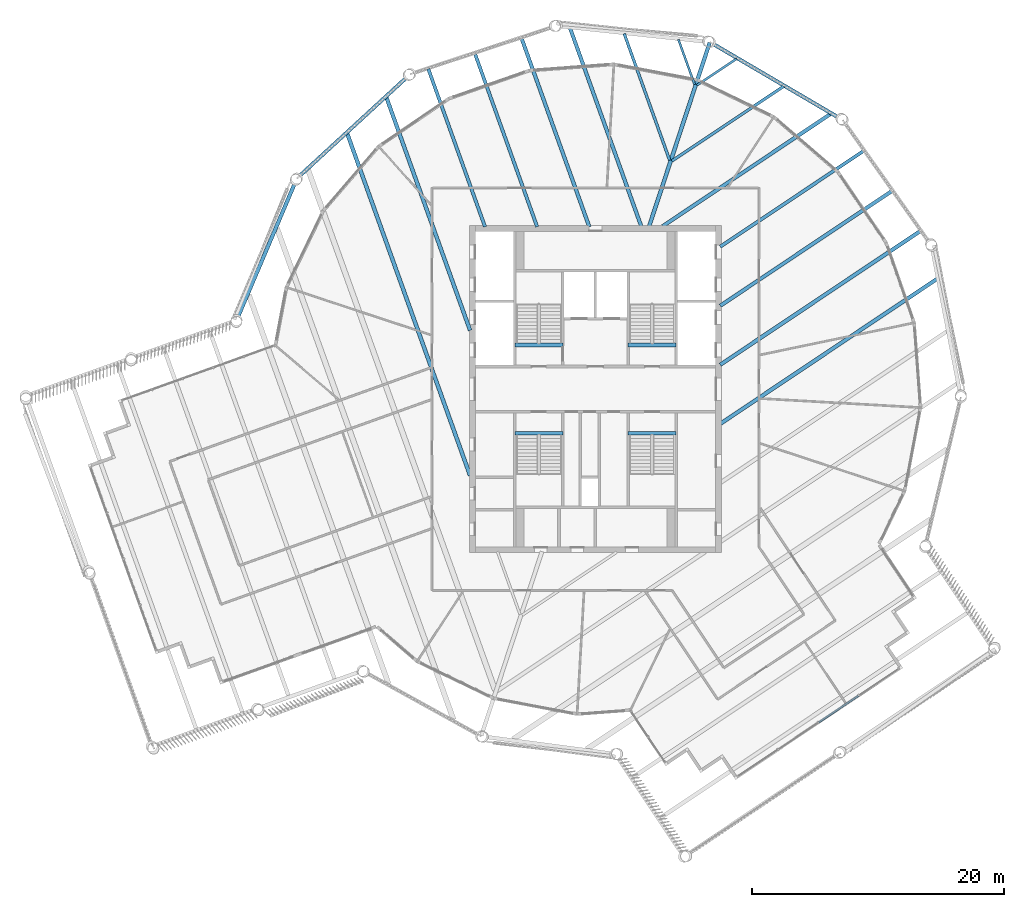
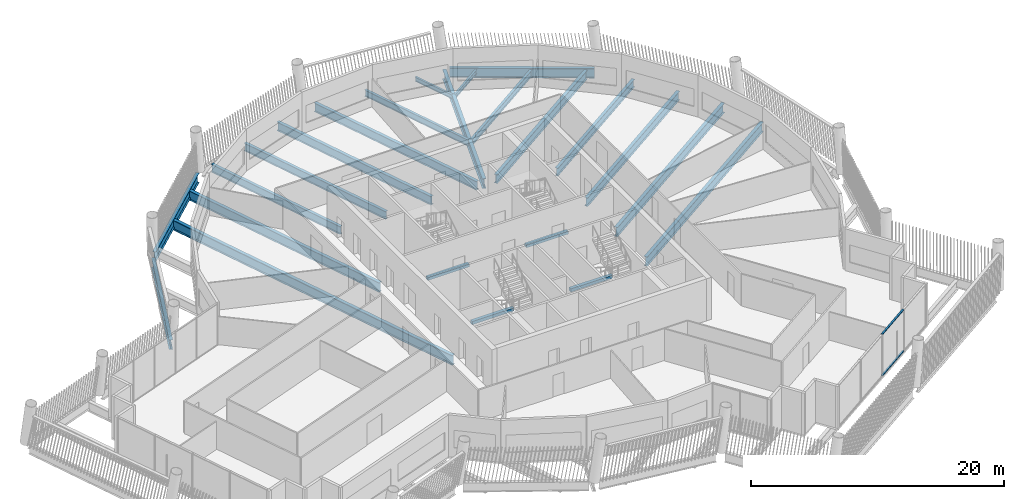
# One storey, part 14 of 28: 23 beams, 2 members, 1 element without a shape of its own.
"""IFC4 building model written with IfcOpenShell, lengths in metres."""

from ifc_helpers import new_model, si_unit, direction, frame, origin, origin_2d, place, context, subcontext, project, spatial, rectangle, hollow_rectangle, i_section, extrude, material, layer, layer_set, material_profile, profile_set, type_object, element, aggregate, save


model = new_model("IFC4")

# Units and contexts
model_context = context("Model", 3, precision=1e-05, world=origin(), true_north=direction((0.0, 1.0)))
body_context = subcontext(model_context, "Body", "Model", "MODEL_VIEW")
ifc_project = project(units=[si_unit("LENGTHUNIT", "METRE"), si_unit("AREAUNIT", "SQUARE_METRE"), si_unit("VOLUMEUNIT", "CUBIC_METRE"), si_unit("PLANEANGLEUNIT", "RADIAN"), si_unit("MASSUNIT", "GRAM", prefix="KILO")], contexts=[model_context])

# Site, building, storey
site_placement = place(None, origin())
site = spatial("IfcSite", under=ifc_project, at=site_placement, CompositionType="ELEMENT")
building_placement = place(site_placement, origin())
building = spatial("IfcBuilding", under=site, at=building_placement, Name="Tarsis Ring Headquarters", CompositionType="ELEMENT")
storey_placement = place(building_placement, frame((0.0, 0.0, 365.0)))
storey = spatial("IfcBuildingStorey", under=building, at=storey_placement, Name="L86", CompositionType="ELEMENT", Elevation=365.0)

# Curtain wall, members
ifc_material_1 = material(Name="Aluminium curtain wall", Category="aluminium")
ifc_layer = layer(ifc_material_1, 0.199951171875)
ifc_layer_set = layer_set([ifc_layer], Name="Curtain wall executive tip")
curtain_wall_type = type_object("IfcCurtainWallType", Name="Curtain wall executive tip", PredefinedType="NOTDEFINED", material=ifc_layer_set)
curtain_wall_placement = place(storey_placement, origin())
curtain_wall = element("IfcCurtainWall", 1, at=curtain_wall_placement, inside=storey, type_object=curtain_wall_type, Name="Curtain wall L86-11", PredefinedType="NOTDEFINED")
ifc_material_2 = material(Name="Aluminium transom", Category="aluminium")
ifc_material_profile_1 = material_profile(ifc_material_2, hollow_rectangle(XDim=0.159912109375, YDim=0.070068359375, WallThickness=0.0048828125, at=origin_2d()), Name="RHS 160x70x5")
ifc_profile_set_1 = profile_set([ifc_material_profile_1], Name="Aluminium transom")
member_type = type_object("IfcMemberType", Name="Curtain wall transom executive tip RHS 160x70x5", PredefinedType="USERDEFINED", material=ifc_profile_set_1)
member_1_placement = place(storey_placement, frame((17.742431640625, -26.48046875, 0.034912109375), z_axis=(0.831388358982, 0.555691817961, 0.0), x_axis=(-0.555691817961, 0.831388358982, 0.0)))
member_1 = element("IfcMember", 2, at=member_1_placement, type_object=member_type, Name="CW-E transom 3.1", ObjectType="TRANSOM", PredefinedType="USERDEFINED", context=body_context, shape_type="SweptSolid", body=[
    extrude(hollow_rectangle(XDim=0.159912109375, YDim=0.070068359375, WallThickness=0.0048828125, at=origin_2d()), origin(), (0.0, 0.0, 1.0), 3.80517578125),
])
member_2_placement = place(storey_placement, frame((17.742431640625, -26.48046875, 4.0048828125), z_axis=(0.831388358982, 0.555691817961, 0.0), x_axis=(-0.555691817961, 0.831388358982, 0.0)))
member_2 = element("IfcMember", 3, at=member_2_placement, type_object=member_type, Name="CW-E transom 3.2", ObjectType="TRANSOM", PredefinedType="USERDEFINED", context=body_context, shape_type="SweptSolid", body=[
    extrude(hollow_rectangle(XDim=0.159912109375, YDim=0.070068359375, WallThickness=0.0048828125, at=origin_2d()), origin(), (0.0, 0.0, 1.0), 3.80517578125),
])
aggregate(curtain_wall, [member_1, member_2])

# Beams
ifc_material_3 = material(Name="Structural steel S355", Category="steel")
ifc_material_profile_2 = material_profile(ifc_material_3, i_section(OverallWidth=0.177734375, OverallDepth=0.406494140625, WebThickness=0.0078125, FlangeThickness=0.0126953125, at=origin_2d()), Name="W16x40")
ifc_profile_set_2 = profile_set([ifc_material_profile_2], Name="Structural steel S355")
beam_type_1 = type_object("IfcBeamType", Name="FB Floor beam W16x40", PredefinedType="JOIST", material=ifc_profile_set_2)
for number, where, z_axis, x_axis, name in (
    (4, (8.05712890625, 24.149658203125, -0.36328125), (0.831359197153, 0.555735445432, 0.0), (-0.555735445432, 0.831359197153, 0.0), "Floor beam FB1"),
    (5, (6.59228515625, 27.7919921875, -0.36328125), (0.338070080286, -0.941120938464, 0.0), (0.941120938464, 0.338070080286, 0.0), "Floor beam FB1"),
):
    element("IfcBeam", number, at=place(storey_placement, frame(where, z_axis=z_axis, x_axis=x_axis)), inside=storey, type_object=beam_type_1, Name=name, PredefinedType="JOIST", context=body_context, shape_type="SweptSolid", body=[
        extrude(i_section(OverallWidth=0.177734375, OverallDepth=0.406494140625, WebThickness=0.0078125, FlangeThickness=0.0126953125, at=origin_2d()), origin(), (0.0, 0.0, 1.0), 3.807861328125),
    ])
ifc_material_profile_3 = material_profile(ifc_material_3, i_section(OverallWidth=0.228271484375, OverallDepth=0.607177734375, WebThickness=0.01123046875, FlangeThickness=0.017333984375, at=origin_2d()), Name="W24x76")
ifc_profile_set_3 = profile_set([ifc_material_profile_3], Name="Structural steel S355")
beam_type_2 = type_object("IfcBeamType", Name="FB Floor beam W24x76", PredefinedType="JOIST", material=ifc_profile_set_3)
beam_1_placement = place(storey_placement, frame((6.07421875, 18.13330078125, -0.463623046875), z_axis=(0.831378446348, 0.555706648284, 0.0), x_axis=(-0.555706648284, 0.831378446348, 0.0)))
element("IfcBeam", 6, at=beam_1_placement, inside=storey, type_object=beam_type_2, Name="Floor beam FB4", PredefinedType="JOIST", context=body_context, shape_type="SweptSolid", body=[
    extrude(i_section(OverallWidth=0.228271484375, OverallDepth=0.607177734375, WebThickness=0.01123046875, FlangeThickness=0.017333984375, at=origin_2d()), origin(), (0.0, 0.0, 1.0), 10.687744140625),
])
beam_2_placement = place(storey_placement, frame((2.28369140625, 28.25, -0.463623046875), z_axis=(0.338086821726, -0.941114924425, 0.0), x_axis=(0.941114924425, 0.338086821726, 0.0)))
element("IfcBeam", 7, at=beam_2_placement, inside=storey, type_object=beam_type_2, Name="Floor beam FB4", PredefinedType="JOIST", context=body_context, shape_type="SweptSolid", body=[
    extrude(i_section(OverallWidth=0.228271484375, OverallDepth=0.607177734375, WebThickness=0.01123046875, FlangeThickness=0.017333984375, at=origin_2d()), origin(), (0.0, 0.0, 1.0), 10.6875),
])
ifc_material_profile_4 = material_profile(ifc_material_3, i_section(OverallWidth=0.2666015625, OverallDepth=0.7568359375, WebThickness=0.013916015625, FlangeThickness=0.019287109375, at=origin_2d()), Name="W30x108")
ifc_profile_set_4 = profile_set([ifc_material_profile_4], Name="Structural steel S355")
beam_type_3 = type_object("IfcBeamType", Name="FB Floor beam W30x108", PredefinedType="JOIST", material=ifc_profile_set_4)
beam_3_placement = place(storey_placement, frame((9.916748046875, 11.31982421875, -0.538330078125), z_axis=(0.83137879611, 0.555706125015, 0.0), x_axis=(-0.555706125015, 0.83137879611, 0.0)))
element("IfcBeam", 8, at=beam_3_placement, inside=storey, type_object=beam_type_3, Name="Floor beam FB6", PredefinedType="JOIST", context=body_context, shape_type="SweptSolid", body=[
    extrude(i_section(OverallWidth=0.2666015625, OverallDepth=0.7568359375, WebThickness=0.013916015625, FlangeThickness=0.019287109375, at=origin_2d()), origin(), (0.0, 0.0, 1.0), 13.716552734375),
])
beam_4_placement = place(storey_placement, frame((-9.58544921875, 26.68310546875, -0.538330078125), z_axis=(0.33808218081, -0.941116591618, 0.0), x_axis=(0.941116591618, 0.33808218081, 0.0)))
element("IfcBeam", 9, at=beam_4_placement, inside=storey, type_object=beam_type_3, Name="Floor beam FB6", PredefinedType="JOIST", context=body_context, shape_type="SweptSolid", body=[
    extrude(i_section(OverallWidth=0.2666015625, OverallDepth=0.7568359375, WebThickness=0.013916015625, FlangeThickness=0.019287109375, at=origin_2d()), origin(), (0.0, 0.0, 1.0), 14.63916015625),
])
beam_5_placement = place(storey_placement, frame((-13.2900390625, 25.4599609375, -0.538330078125), z_axis=(0.338078423468, -0.941117941379, 0.0), x_axis=(0.941117941379, 0.338078423468, 0.0)))
element("IfcBeam", 10, at=beam_5_placement, inside=storey, type_object=beam_type_3, Name="Floor beam FB6", PredefinedType="JOIST", context=body_context, shape_type="SweptSolid", body=[
    extrude(i_section(OverallWidth=0.2666015625, OverallDepth=0.7568359375, WebThickness=0.013916015625, FlangeThickness=0.019287109375, at=origin_2d()), origin(), (0.0, 0.0, 1.0), 13.33935546875),
])
ifc_material_profile_5 = material_profile(ifc_material_3, i_section(OverallWidth=0.2919921875, OverallDepth=0.835693359375, WebThickness=0.013916015625, FlangeThickness=0.018798828125, at=origin_2d()), Name="W33x118")
ifc_profile_set_5 = profile_set([ifc_material_profile_5], Name="Structural steel S355")
beam_type_4 = type_object("IfcBeamType", Name="FB Floor beam W33x118", PredefinedType="JOIST", material=ifc_profile_set_5)
beam_6_placement = place(storey_placement, frame((5.329345703125, 12.9443359375, -0.577880859375), z_axis=(0.831367529945, 0.555722979688, 0.0), x_axis=(-0.555722979688, 0.831367529945, 0.0)))
element("IfcBeam", 11, at=beam_6_placement, inside=storey, type_object=beam_type_4, Name="Floor beam FB7", PredefinedType="JOIST", context=body_context, shape_type="SweptSolid", body=[
    extrude(i_section(OverallWidth=0.2919921875, OverallDepth=0.835693359375, WebThickness=0.013916015625, FlangeThickness=0.018798828125, at=origin_2d()), origin(), (0.0, 0.0, 1.0), 16.078369140625),
])
beam_7_placement = place(storey_placement, frame((9.916748046875, 6.628662109375, -0.577880859375), z_axis=(0.831368188963, 0.555721993788, 0.0), x_axis=(-0.555721993788, 0.831368188963, 0.0)))
element("IfcBeam", 12, at=beam_7_placement, inside=storey, type_object=beam_type_4, Name="Floor beam FB7", PredefinedType="JOIST", context=body_context, shape_type="SweptSolid", body=[
    extrude(i_section(OverallWidth=0.2919921875, OverallDepth=0.835693359375, WebThickness=0.013916015625, FlangeThickness=0.018798828125, at=origin_2d()), origin(), (0.0, 0.0, 1.0), 16.424560546875),
])
beam_8_placement = place(storey_placement, frame((-2.02490234375, 28.708251953125, -0.577880859375), z_axis=(0.338084038433, -0.941115924292, 0.0), x_axis=(0.941115924292, 0.338084038433, 0.0)))
element("IfcBeam", 13, at=beam_8_placement, inside=storey, type_object=beam_type_4, Name="Floor beam FB7", PredefinedType="JOIST", context=body_context, shape_type="SweptSolid", body=[
    extrude(i_section(OverallWidth=0.2919921875, OverallDepth=0.835693359375, WebThickness=0.013916015625, FlangeThickness=0.018798828125, at=origin_2d()), origin(), (0.0, 0.0, 1.0), 16.791015625),
])
beam_9_placement = place(storey_placement, frame((-5.880859375, 27.906494140625, -0.577880859375), z_axis=(0.338080451801, -0.941117212737, 0.0), x_axis=(0.941117212737, 0.338080451801, 0.0)))
element("IfcBeam", 14, at=beam_9_placement, inside=storey, type_object=beam_type_4, Name="Floor beam FB7", PredefinedType="JOIST", context=body_context, shape_type="SweptSolid", body=[
    extrude(i_section(OverallWidth=0.2919921875, OverallDepth=0.835693359375, WebThickness=0.013916015625, FlangeThickness=0.018798828125, at=origin_2d()), origin(), (0.0, 0.0, 1.0), 15.93896484375),
])
ifc_material_profile_6 = material_profile(ifc_material_3, i_section(OverallWidth=0.3046875, OverallDepth=0.904296875, WebThickness=0.01513671875, FlangeThickness=0.02001953125, at=origin_2d()), Name="W36x135")
ifc_profile_set_6 = profile_set([ifc_material_profile_6], Name="Structural steel S355")
beam_type_5 = type_object("IfcBeamType", Name="FB Floor beam W36x135", PredefinedType="JOIST", material=ifc_profile_set_6)
beam_10_placement = place(storey_placement, frame((9.916748046875, 1.937744140625, -0.612060546875), z_axis=(0.831376316089, 0.555709835298, 0.0), x_axis=(-0.555709835298, 0.831376316089, 0.0)))
element("IfcBeam", 15, at=beam_10_placement, inside=storey, type_object=beam_type_5, Name="Floor beam FB8", PredefinedType="JOIST", context=body_context, shape_type="SweptSolid", body=[
    extrude(i_section(OverallWidth=0.3046875, OverallDepth=0.904296875, WebThickness=0.01513671875, FlangeThickness=0.02001953125, at=origin_2d()), origin(), (0.0, 0.0, 1.0), 19.13232421875),
])
beam_11_placement = place(storey_placement, frame((9.916748046875, -2.75341796875, -0.612060546875), z_axis=(0.831368976894, 0.555720815031, 0.0), x_axis=(-0.555720815031, 0.831368976894, 0.0)))
element("IfcBeam", 16, at=beam_11_placement, inside=storey, type_object=beam_type_5, Name="Floor beam FB8", PredefinedType="JOIST", context=body_context, shape_type="SweptSolid", body=[
    extrude(i_section(OverallWidth=0.3046875, OverallDepth=0.904296875, WebThickness=0.01513671875, FlangeThickness=0.02001953125, at=origin_2d()), origin(), (0.0, 0.0, 1.0), 20.74755859375),
])
beam_12_placement = place(storey_placement, frame((-16.625, 23.207763671875, -0.612060546875), z_axis=(0.33807590963, -0.941118844423, 0.0), x_axis=(0.941118844423, 0.33807590963, 0.0)))
element("IfcBeam", 17, at=beam_12_placement, inside=storey, type_object=beam_type_5, Name="Floor beam FB8", PredefinedType="JOIST", context=body_context, shape_type="SweptSolid", body=[
    extrude(i_section(OverallWidth=0.3046875, OverallDepth=0.904296875, WebThickness=0.01513671875, FlangeThickness=0.02001953125, at=origin_2d()), origin(), (0.0, 0.0, 1.0), 19.69580078125),
])
ifc_material_profile_7 = material_profile(ifc_material_3, i_section(OverallWidth=0.309814453125, OverallDepth=0.949951171875, WebThickness=0.0244140625, FlangeThickness=0.0439453125, at=origin_2d()), Name="W36x256")
ifc_profile_set_7 = profile_set([ifc_material_profile_7], Name="Structural steel S355")
beam_type_6 = type_object("IfcBeamType", Name="FB Floor beam W36x256", PredefinedType="JOIST", material=ifc_profile_set_7)
beam_13_placement = place(storey_placement, frame((-19.73974609375, 20.34228515625, -0.635009765625), z_axis=(0.33807882146, -0.941117798408, 0.0), x_axis=(0.941117798408, 0.33807882146, 0.0)))
element("IfcBeam", 18, at=beam_13_placement, inside=storey, type_object=beam_type_6, Name="Floor beam FB11", PredefinedType="JOIST", context=body_context, shape_type="SweptSolid", body=[
    extrude(i_section(OverallWidth=0.309814453125, OverallDepth=0.949951171875, WebThickness=0.0244140625, FlangeThickness=0.0439453125, at=origin_2d()), origin(), (0.0, 0.0, 1.0), 28.90869140625),
])
beam_type_7 = type_object("IfcBeamType", Name="FB Floor beam W36x256 spine", PredefinedType="BEAM", material=ifc_profile_set_7)
beam_14_placement = place(storey_placement, frame((9.07470703125, 27.535888671875, -0.635009765625), z_axis=(-0.313002411839, -0.94975233097, 0.0), x_axis=(0.94975233097, -0.313002411839, 0.0)))
element("IfcBeam", 19, at=beam_14_placement, inside=storey, type_object=beam_type_7, Name="Floor beam SB11", PredefinedType="BEAM", context=body_context, shape_type="SweptSolid", body=[
    extrude(i_section(OverallWidth=0.309814453125, OverallDepth=0.949951171875, WebThickness=0.0244140625, FlangeThickness=0.0439453125, at=origin_2d()), origin(), (0.0, 0.0, 1.0), 15.405029296875),
])
ifc_material_4 = material(Name="Concrete C40/50", Category="concrete")
ifc_material_profile_8 = material_profile(ifc_material_4, rectangle(XDim=0.300048828125, YDim=0.300048828125, at=origin_2d()), Name="Stair head beam 300x300 C40/50")
ifc_profile_set_8 = profile_set([ifc_material_profile_8], Name="Concrete C40/50")
beam_type_8 = type_object("IfcBeamType", Name="Stair head beam 300x300 C40/50", PredefinedType="BEAM", material=ifc_profile_set_8)
for number, where, z_axis, x_axis, name in (
    (20, (-6.39990234375, 3.510009765625, -0.31005859375), (1.0, 0.0, 0.0), (0.0, 1.0, 0.0), "Stair head beam L86 Firefighting stair"),
    (21, (2.60009765625, 3.510009765625, -0.31005859375), (1.0, 0.0, 0.0), (0.0, 1.0, 0.0), "Stair head beam L86 Exit stair B"),
    (22, (-6.39990234375, -3.510009765625, -0.31005859375), (1.0, 0.0, 0.0), (0.0, 1.0, 0.0), "Stair head beam L86 Exit stair C"),
    (23, (2.60009765625, -3.510009765625, -0.31005859375), (1.0, 0.0, 0.0), (0.0, 1.0, 0.0), "Stair head beam L86 Exit stair D"),
):
    element("IfcBeam", number, at=place(storey_placement, frame(where, z_axis=z_axis, x_axis=x_axis)), inside=storey, type_object=beam_type_8, Name=name, PredefinedType="BEAM", context=body_context, shape_type="SweptSolid", body=[
        extrude(rectangle(XDim=0.300048828125, YDim=0.300048828125, at=origin_2d()), origin(), (0.0, 0.0, 1.0), 3.7998046875),
    ])
ifc_material_profile_9 = material_profile(ifc_material_3, i_section(OverallWidth=0.3046875, OverallDepth=0.91943359375, WebThickness=0.017333984375, FlangeThickness=0.02783203125, at=origin_2d()), Name="W36x170")
ifc_profile_set_9 = profile_set([ifc_material_profile_9], Name="Structural steel S355")
beam_type_9 = type_object("IfcBeamType", Name="XG Ring girder W36x170", PredefinedType="BEAM", material=ifc_profile_set_9)
beam_15_placement = place(storey_placement, frame((19.30078125, 21.596923828125, -0.459716796875), z_axis=(-0.862417203316, 0.506198150357, 0.0), x_axis=(-0.506198150357, -0.862417203316, 0.0)))
element("IfcBeam", 24, at=beam_15_placement, inside=storey, type_object=beam_type_9, Name="Ring girder XG4", PredefinedType="BEAM", context=body_context, shape_type="SweptSolid", body=[
    extrude(i_section(OverallWidth=0.3046875, OverallDepth=0.91943359375, WebThickness=0.017333984375, FlangeThickness=0.02783203125, at=origin_2d()), origin(), (0.0, 0.0, 1.0), 11.42578125),
])
beam_16_placement = place(storey_placement, frame((-15.02197265625, 24.7646484375, -0.459716796875), z_axis=(-0.735906737146, -0.677082915324, 0.0), x_axis=(0.677082915324, -0.735906737146, 0.0)))
element("IfcBeam", 25, at=beam_16_placement, inside=storey, type_object=beam_type_9, Name="Ring girder XG4", PredefinedType="BEAM", context=body_context, shape_type="SweptSolid", body=[
    extrude(i_section(OverallWidth=0.3046875, OverallDepth=0.91943359375, WebThickness=0.017333984375, FlangeThickness=0.02783203125, at=origin_2d()), origin(), (0.0, 0.0, 1.0), 11.426025390625),
])
beam_17_placement = place(storey_placement, frame((-23.894287109375, 16.37109375, -0.459716796875), z_axis=(-0.391385406313, -0.92022685449, 0.0), x_axis=(0.92022685449, -0.391385406313, 0.0)))
element("IfcBeam", 26, at=beam_17_placement, inside=storey, type_object=beam_type_9, Name="Ring girder XG4", PredefinedType="BEAM", context=body_context, shape_type="SweptSolid", body=[
    extrude(i_section(OverallWidth=0.3046875, OverallDepth=0.91943359375, WebThickness=0.017333984375, FlangeThickness=0.02783203125, at=origin_2d()), origin(), (0.0, 0.0, 1.0), 11.42578125),
])

save(model, "model.ifc")
